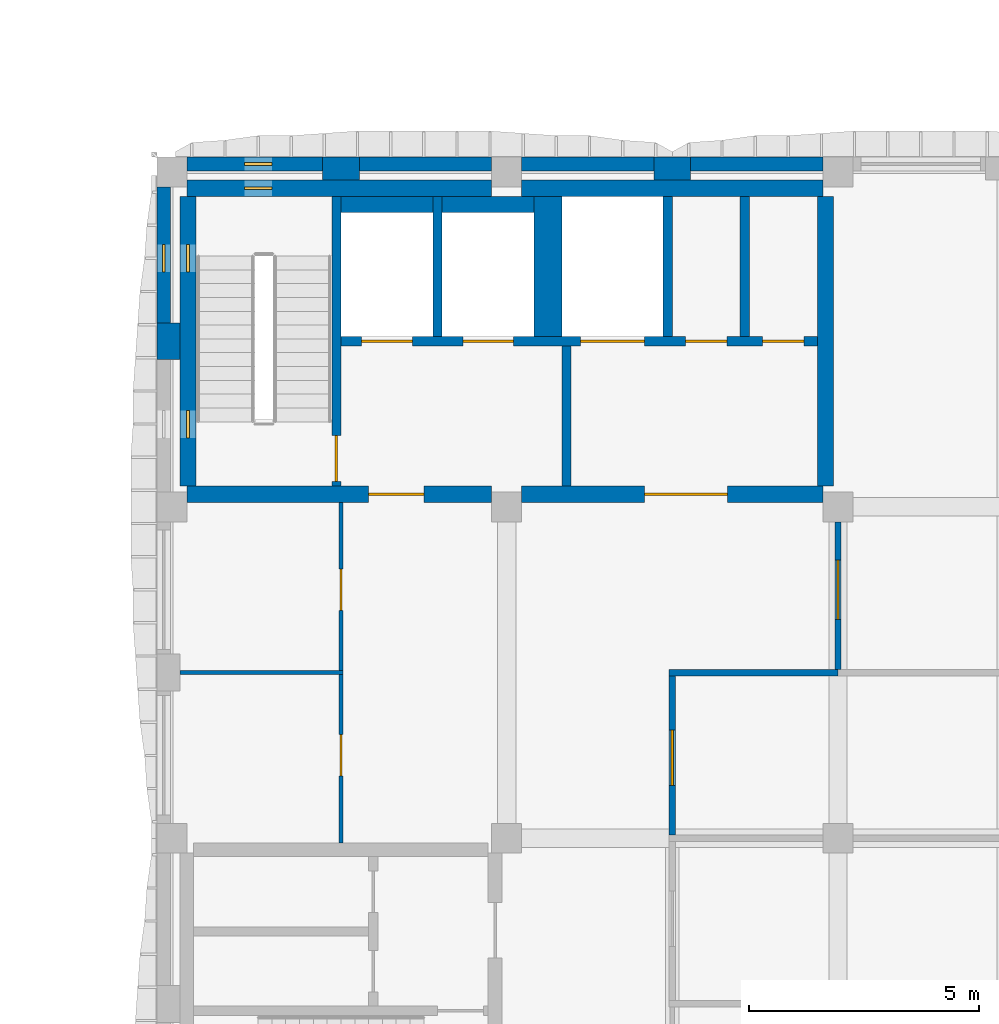
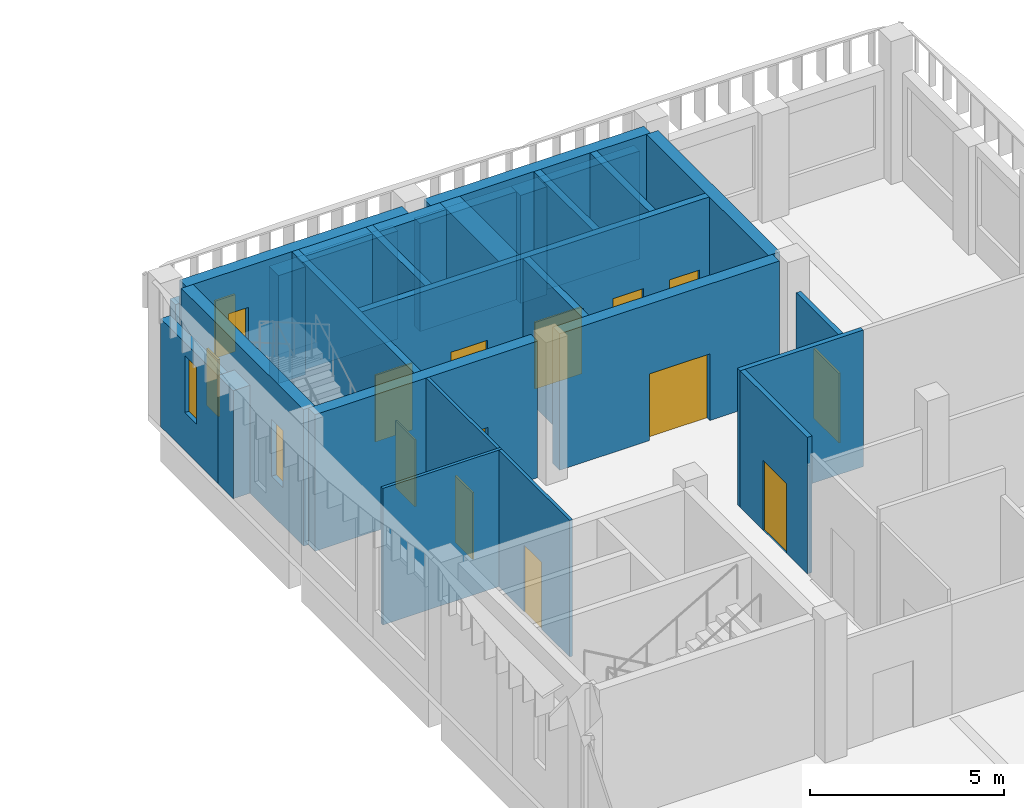
# One storey, part 5 of 24: 29 walls, 12 doors, 5 windows, 17 openings.
"""IFC4 building model written with IfcOpenShell, lengths in metres."""

from ifc_helpers import new_model, si_unit, direction, frame, frame_2d, origin, place, context, subcontext, project, spatial, rectangle, extrude, material, layer, layer_set, type_object, element, fill, save


model = new_model("IFC4")

# Units and contexts
model_context = context("Model", 3, precision=1e-05, world=origin(), true_north=direction((0.0, 1.0)))
body_context = subcontext(model_context, "Body", "Model", "MODEL_VIEW")
ifc_project = project(units=[si_unit("LENGTHUNIT", "METRE"), si_unit("AREAUNIT", "SQUARE_METRE"), si_unit("VOLUMEUNIT", "CUBIC_METRE"), si_unit("PLANEANGLEUNIT", "RADIAN"), si_unit("MASSUNIT", "GRAM", prefix="KILO")], contexts=[model_context])

# Site, building, storey
site_placement = place(None, origin())
site = spatial("IfcSite", under=ifc_project, at=site_placement, CompositionType="ELEMENT")
building_placement = place(site_placement, origin())
building = spatial("IfcBuilding", under=site, at=building_placement, Name="Ussher Court Research Institute", CompositionType="ELEMENT")
storey_placement = place(building_placement, frame((0.0, 0.0, 32.39990234375)))
storey = spatial("IfcBuildingStorey", under=building, at=storey_placement, Name="L07", CompositionType="ELEMENT", Elevation=32.39990234375)

# Wall, opening, window
ifc_material_1 = material(Name="Limestone facing on blockwork", Category="masonry")
ifc_layer_1 = layer(ifc_material_1, 0.300048828125)
ifc_layer_set_1 = layer_set([ifc_layer_1], Name="Limestone facing on blockwork")
wall_type_1 = type_object("IfcWallType", Name="External wall 300 stair enclosure", PredefinedType="SOLIDWALL", material=ifc_layer_set_1)
wall_1_placement = place(storey_placement, frame((81.949951171875, 29.60009765625, 0.0), z_axis=(0.0, 0.0, 1.0), x_axis=(0.0, 1.0, 0.0)))
wall_1 = element("IfcWall", 1, at=wall_1_placement, inside=storey, type_object=wall_type_1, Name="External wall EW5 L07", PredefinedType="SOLIDWALL", context=body_context, shape_type="SweptSolid", body=[
    extrude(rectangle(XDim=2.949951171875, YDim=0.300048828125, at=frame_2d((1.47509765625, 0.0))), origin(), (0.0, 0.0, 1.0), 3.400146484375),
])
opening_1_placement = place(wall_1_placement, frame((1.10009765625, 0.0, 1.199951171875)))
opening_1 = element("IfcOpeningElement", 2, at=opening_1_placement, cuts=wall_1, Name="Opening W25", PredefinedType="OPENING", context=body_context, shape_type="SweptSolid", body=[
    extrude(rectangle(XDim=0.60009765625, YDim=1.800048828125, at=frame_2d((0.300048828125, 0.89990234375))), frame((0.0, 0.16015625, 0.0), z_axis=(0.0, -1.0, 0.0), x_axis=(1.0, 0.0, 0.0)), (0.0, 0.0, 1.0), 0.320068359375),
])
ifc_material_2 = material(Name="Bronze anodised aluminium with double glazing", Category="aluminium")
window_type = type_object("IfcWindowType", Name="Stair light slot window 600x1800 fire-resisting glazing", PartitioningType="SINGLE_PANEL", PredefinedType="WINDOW", material=ifc_material_2)
window_1_placement = place(opening_1_placement, origin())
window_1 = element("IfcWindow", 3, at=window_1_placement, inside=storey, type_object=window_type, Name="Window W25 L07", OverallHeight=1.800048828125, OverallWidth=0.60009765625, PartitioningType="SINGLE_PANEL", PredefinedType="WINDOW", context=body_context, shape_type="SweptSolid", body=[
    extrude(rectangle(XDim=0.60009765625, YDim=1.800048828125, at=frame_2d((0.300048828125, 0.89990234375))), frame((0.0, 0.030029296875, 0.0), z_axis=(0.0, -1.0, 0.0), x_axis=(1.0, 0.0, 0.0)), (0.0, 0.0, 1.0), 0.06005859375),
])
fill(opening_1, window_1)

wall_2_placement = place(storey_placement, frame((82.449951171875, 33.050048828125, 0.0), z_axis=(0.0, 0.0, 1.0), x_axis=(1.0, 0.0, 0.0)))
wall_2 = element("IfcWall", 4, at=wall_2_placement, inside=storey, type_object=wall_type_1, Name="External wall EW5 L07", PredefinedType="SOLIDWALL", context=body_context, shape_type="SweptSolid", body=[
    extrude(rectangle(XDim=2.949951171875, YDim=0.300048828125, at=frame_2d((1.47509765625, 0.0))), origin(), (0.0, 0.0, 1.0), 3.400146484375),
])
opening_2_placement = place(wall_2_placement, frame((1.25, 0.0, 1.199951171875)))
opening_2 = element("IfcOpeningElement", 5, at=opening_2_placement, cuts=wall_2, Name="Opening W25", PredefinedType="OPENING", context=body_context, shape_type="SweptSolid", body=[
    extrude(rectangle(XDim=0.60009765625, YDim=1.800048828125, at=frame_2d((0.300048828125, 0.89990234375))), frame((0.0, 0.16015625, 0.0), z_axis=(0.0, -1.0, 0.0), x_axis=(1.0, 0.0, 0.0)), (0.0, 0.0, 1.0), 0.320068359375),
])
window_2_placement = place(opening_2_placement, origin())
window_2 = element("IfcWindow", 6, at=window_2_placement, inside=storey, type_object=window_type, Name="Window W25 L07", OverallHeight=1.800048828125, OverallWidth=0.60009765625, PartitioningType="SINGLE_PANEL", PredefinedType="WINDOW", context=body_context, shape_type="SweptSolid", body=[
    extrude(rectangle(XDim=0.60009765625, YDim=1.800048828125, at=frame_2d((0.300048828125, 0.89990234375))), frame((0.0, 0.030029296875, 0.0), z_axis=(0.0, -1.0, 0.0), x_axis=(1.0, 0.0, 0.0)), (0.0, 0.0, 1.0), 0.06005859375),
])
fill(opening_2, window_2)

# Walls
for number, where, z_axis, x_axis, name in (
    (7, (86.199951171875, 33.050048828125, 0.0), (0.0, 0.0, 1.0), (1.0, 0.0, 0.0), "External wall EW5 L07"),
    (8, (89.72509765625, 33.050048828125, 0.0), (0.0, 0.0, 1.0), (1.0, 0.0, 0.0), "External wall EW5 L07"),
    (9, (93.39990234375, 33.050048828125, 0.0), (0.0, 0.0, 1.0), (1.0, 0.0, 0.0), "External wall EW5 L07"),
):
    element("IfcWall", number, at=place(storey_placement, frame(where, z_axis=z_axis, x_axis=x_axis)), inside=storey, type_object=wall_type_1, Name=name, PredefinedType="SOLIDWALL", context=body_context, shape_type="SweptSolid", body=[
        extrude(rectangle(XDim=2.875, YDim=0.300048828125, at=frame_2d((1.4375, 0.0))), origin(), (0.0, 0.0, 1.0), 3.400146484375),
    ])
ifc_material_3 = material(Name="Plastered blockwork", Category="masonry")
ifc_layer_2 = layer(ifc_material_3, 0.139892578125)
ifc_layer_set_2 = layer_set([ifc_layer_2], Name="Plastered blockwork")
wall_type_2 = type_object("IfcWallType", Name="Laboratory blockwork partition 140", PredefinedType="PARTITIONING", material=ifc_layer_set_2)
wall_3_placement = place(storey_placement, frame((92.929931640625, 22.0, 0.0), z_axis=(0.0, 0.0, 1.0), x_axis=(1.0, 0.0, 0.0)))
element("IfcWall", 10, at=wall_3_placement, inside=storey, type_object=wall_type_2, Name="Partition", PredefinedType="PARTITIONING", context=body_context, shape_type="SweptSolid", body=[
    extrude(rectangle(XDim=3.670166015625, YDim=0.139892578125, at=frame_2d((1.8349609375, 0.0))), origin(), (0.0, 0.0, 1.0), 4.300048828125),
])

# Wall, opening, door
wall_4_placement = place(storey_placement, frame((93.0, 21.929931640625, 0.0), z_axis=(0.0, 0.0, 1.0), x_axis=(0.0, -1.0, 0.0)))
wall_4 = element("IfcWall", 11, at=wall_4_placement, inside=storey, type_object=wall_type_2, Name="Partition", PredefinedType="PARTITIONING", context=body_context, shape_type="SweptSolid", body=[
    extrude(rectangle(XDim=3.4599609375, YDim=0.139892578125, at=frame_2d((1.72998046875, 0.0))), origin(), (0.0, 0.0, 1.0), 4.300048828125),
])
opening_3_placement = place(wall_4_placement, frame((1.179931640625, 0.0, 0.0)))
opening_3 = element("IfcOpeningElement", 12, at=opening_3_placement, cuts=wall_4, Name="Opening D07012", PredefinedType="OPENING", context=body_context, shape_type="SweptSolid", body=[
    extrude(rectangle(XDim=1.199951171875, YDim=2.199951171875, at=frame_2d((0.60009765625, 1.10009765625))), frame((0.0, 0.080078125, 0.0), z_axis=(0.0, -1.0, 0.0), x_axis=(1.0, 0.0, 0.0)), (0.0, 0.0, 1.0), 0.159912109375),
])
ifc_material_4 = material(Name="Veneered timber door", Category="wood")
door_type_1 = type_object("IfcDoorType", Name="Containment laboratory door 1200x2200", OperationType="NOTDEFINED", PredefinedType="DOOR", material=ifc_material_4)
door_1_placement = place(opening_3_placement, origin())
door_1 = element("IfcDoor", 13, at=door_1_placement, inside=storey, type_object=door_type_1, Name="Door D07012", OperationType="SINGLE_SWING_RIGHT", OverallHeight=2.199951171875, OverallWidth=1.199951171875, PredefinedType="DOOR", context=body_context, shape_type="SweptSolid", body=[
    extrude(rectangle(XDim=1.199951171875, YDim=2.199951171875, at=frame_2d((0.60009765625, 1.10009765625))), frame((0.0, 0.02490234375, 0.0), z_axis=(0.0, -1.0, 0.0), x_axis=(1.0, 0.0, 0.0)), (0.0, 0.0, 1.0), 0.050048828125),
])
fill(opening_3, door_1)

wall_5_placement = place(storey_placement, frame((96.60009765625, 25.27490234375, 0.0), z_axis=(0.0, 0.0, 1.0), x_axis=(0.0, -1.0, 0.0)))
wall_5 = element("IfcWall", 14, at=wall_5_placement, inside=storey, type_object=wall_type_2, Name="Partition", PredefinedType="PARTITIONING", context=body_context, shape_type="SweptSolid", body=[
    extrude(rectangle(XDim=3.204833984375, YDim=0.139892578125, at=frame_2d((1.6025390625, 0.0))), origin(), (0.0, 0.0, 1.0), 3.47021484375),
])
opening_4_placement = place(wall_5_placement, frame((0.824951171875, 0.0, 0.0)))
opening_4 = element("IfcOpeningElement", 15, at=opening_4_placement, cuts=wall_5, Name="Opening D07016", PredefinedType="OPENING", context=body_context, shape_type="SweptSolid", body=[
    extrude(rectangle(XDim=1.300048828125, YDim=2.199951171875, at=frame_2d((0.64990234375, 1.10009765625))), frame((0.0, 0.080078125, 0.0), z_axis=(0.0, -1.0, 0.0), x_axis=(1.0, 0.0, 0.0)), (0.0, 0.0, 1.0), 0.159912109375),
])
ifc_material_5 = material(Name="Veneered timber door", Category="wood")
door_type_2 = type_object("IfcDoorType", Name="Instrument room door 1300x2200", OperationType="NOTDEFINED", PredefinedType="DOOR", material=ifc_material_5)
door_2_placement = place(opening_4_placement, origin())
door_2 = element("IfcDoor", 16, at=door_2_placement, inside=storey, type_object=door_type_2, Name="Door D07016", OperationType="SINGLE_SWING_LEFT", OverallHeight=2.199951171875, OverallWidth=1.300048828125, PredefinedType="DOOR", context=body_context, shape_type="SweptSolid", body=[
    extrude(rectangle(XDim=1.300048828125, YDim=2.199951171875, at=frame_2d((0.64990234375, 1.10009765625))), frame((0.0, 0.02490234375, 0.0), z_axis=(0.0, -1.0, 0.0), x_axis=(1.0, 0.0, 0.0)), (0.0, 0.0, 1.0), 0.050048828125),
])
fill(opening_4, door_2)

# Walls
ifc_material_6 = material(Name="Blockwork with cream render", Category="masonry")
ifc_layer_3 = layer(ifc_material_6, 0.5)
ifc_layer_set_3 = layer_set([ifc_layer_3], Name="Blockwork with cream render")
wall_type_3 = type_object("IfcWallType", Name="Pier 800x500 cream render", PredefinedType="SOLIDWALL", material=ifc_layer_set_3)
for number, where, z_axis, x_axis, name in (
    (17, (82.050048828125, 28.800048828125, 0.0), (0.0, 0.0, 1.0), (0.0, 1.0, 0.0), "Pier PR1 L07"),
    (18, (85.39990234375, 32.949951171875, 0.0), (0.0, 0.0, 1.0), (1.0, 0.0, 0.0), "Pier PR1 L07"),
):
    element("IfcWall", number, at=place(storey_placement, frame(where, z_axis=z_axis, x_axis=x_axis)), inside=storey, type_object=wall_type_3, Name=name, PredefinedType="SOLIDWALL", context=body_context, shape_type="SweptSolid", body=[
        extrude(rectangle(XDim=0.800048828125, YDim=0.5, at=frame_2d((0.39990234375, 0.0))), origin(), (0.0, 0.0, 1.0), 3.400146484375),
    ])
wall_6_placement = place(storey_placement, frame((92.60009765625, 32.949951171875, 0.0), z_axis=(0.0, 0.0, 1.0), x_axis=(1.0, 0.0, 0.0)))
element("IfcWall", 19, at=wall_6_placement, inside=storey, type_object=wall_type_3, Name="Pier PR1 L07", PredefinedType="SOLIDWALL", context=body_context, shape_type="SweptSolid", body=[
    extrude(rectangle(XDim=0.7998046875, YDim=0.5, at=frame_2d((0.39990234375, 0.0))), origin(), (0.0, 0.0, 1.0), 3.400146484375),
])

# Wall, opening, door
ifc_material_7 = material(Name="Concrete C35/45", Category="concrete")
ifc_layer_4 = layer(ifc_material_7, 0.199951171875)
ifc_layer_set_4 = layer_set([ifc_layer_4], Name="Concrete C35/45")
wall_type_4 = type_object("IfcWallType", Name="RC core wall 200", PredefinedType="SHEAR", material=ifc_layer_set_4)
wall_7_placement = place(storey_placement, frame((85.699951171875, 26.050048828125, 0.0), z_axis=(0.0, 0.0, 1.0), x_axis=(0.0, 1.0, 0.0)))
wall_7 = element("IfcWall", 20, at=wall_7_placement, inside=storey, type_object=wall_type_4, Name="Core wall T1", PredefinedType="SHEAR", context=body_context, shape_type="SweptSolid", body=[
    extrude(rectangle(XDim=6.300048828125, YDim=0.199951171875, at=frame_2d((3.14990234375, 0.0))), origin(), (0.0, 0.0, 1.0), 4.300048828125),
])
opening_5_placement = place(wall_7_placement, frame((0.10009765625, 0.0, 0.0)))
opening_5 = element("IfcOpeningElement", 21, at=opening_5_placement, cuts=wall_7, Name="Opening D07001", PredefinedType="OPENING", context=body_context, shape_type="SweptSolid", body=[
    extrude(rectangle(XDim=1.0, YDim=2.10009765625, at=frame_2d((0.5, 1.050048828125))), frame((0.0, 0.10986328125, 0.0), z_axis=(0.0, -1.0, 0.0), x_axis=(1.0, 0.0, 0.0)), (0.0, 0.0, 1.0), 0.219970703125),
])
ifc_material_8 = material(Name="Painted steel faced fire door", Category="steel")
door_type_3 = type_object("IfcDoorType", Name="Fire door 1000x2100 FD60", OperationType="NOTDEFINED", PredefinedType="DOOR", material=ifc_material_8)
door_3_placement = place(opening_5_placement, origin())
door_3 = element("IfcDoor", 22, at=door_3_placement, inside=storey, type_object=door_type_3, Name="Door D07001", OperationType="SINGLE_SWING_LEFT", OverallHeight=2.10009765625, OverallWidth=1.0, PredefinedType="DOOR", context=body_context, shape_type="SweptSolid", body=[
    extrude(rectangle(XDim=1.0, YDim=2.10009765625, at=frame_2d((0.5, 1.050048828125))), frame((0.0, 0.02490234375, 0.0), z_axis=(0.0, -1.0, 0.0), x_axis=(1.0, 0.0, 0.0)), (0.0, 0.0, 1.0), 0.050048828125),
])
fill(opening_5, door_3)

# Wall
wall_8_placement = place(storey_placement, frame((90.699951171875, 26.050048828125, 0.0), z_axis=(0.0, 0.0, 1.0), x_axis=(0.0, 1.0, 0.0)))
element("IfcWall", 23, at=wall_8_placement, inside=storey, type_object=wall_type_4, Name="Core wall T1", PredefinedType="SHEAR", context=body_context, shape_type="SweptSolid", body=[
    extrude(rectangle(XDim=3.050048828125, YDim=0.199951171875, at=frame_2d((1.52490234375, 0.0))), origin(), (0.0, 0.0, 1.0), 4.300048828125),
])

# Wall, openings, doors
wall_9_placement = place(storey_placement, frame((96.14990234375, 29.199951171875, 0.0), z_axis=(0.0, 0.0, 1.0), x_axis=(-1.0, 0.0, 0.0)))
wall_9 = element("IfcWall", 24, at=wall_9_placement, inside=storey, type_object=wall_type_4, Name="Core wall T1", PredefinedType="SHEAR", context=body_context, shape_type="SweptSolid", body=[
    extrude(rectangle(XDim=10.349853515625, YDim=0.199951171875, at=frame_2d((5.1748046875, 0.0))), origin(), (0.0, 0.0, 1.0), 4.300048828125),
])
opening_6_placement = place(wall_9_placement, frame((8.800048828125, 0.0, 0.0)))
opening_6 = element("IfcOpeningElement", 25, at=opening_6_placement, cuts=wall_9, Name="Opening LD71", PredefinedType="OPENING", context=body_context, shape_type="SweptSolid", body=[
    extrude(rectangle(XDim=1.10009765625, YDim=2.10009765625, at=frame_2d((0.550048828125, 1.050048828125))), frame((0.0, 0.10986328125, 0.0), z_axis=(0.0, -1.0, 0.0), x_axis=(1.0, 0.0, 0.0)), (0.0, 0.0, 1.0), 0.219970703125),
])
opening_7_placement = place(wall_9_placement, frame((6.60009765625, 0.0, 0.0)))
opening_7 = element("IfcOpeningElement", 26, at=opening_7_placement, cuts=wall_9, Name="Opening LD72", PredefinedType="OPENING", context=body_context, shape_type="SweptSolid", body=[
    extrude(rectangle(XDim=1.10009765625, YDim=2.10009765625, at=frame_2d((0.550048828125, 1.050048828125))), frame((0.0, 0.10986328125, 0.0), z_axis=(0.0, -1.0, 0.0), x_axis=(1.0, 0.0, 0.0)), (0.0, 0.0, 1.0), 0.219970703125),
])
opening_8_placement = place(wall_9_placement, frame((3.75, 0.0, 0.0)))
opening_8 = element("IfcOpeningElement", 27, at=opening_8_placement, cuts=wall_9, Name="Opening LD73", PredefinedType="OPENING", context=body_context, shape_type="SweptSolid", body=[
    extrude(rectangle(XDim=1.39990234375, YDim=2.10009765625, at=frame_2d((0.699951171875, 1.050048828125))), frame((0.0, 0.10986328125, 0.0), z_axis=(0.0, -1.0, 0.0), x_axis=(1.0, 0.0, 0.0)), (0.0, 0.0, 1.0), 0.219970703125),
])
opening_9_placement = place(wall_9_placement, frame((1.96240234375, 0.0, 0.0)))
opening_9 = element("IfcOpeningElement", 28, at=opening_9_placement, cuts=wall_9, Name="Opening D07014", PredefinedType="OPENING", context=body_context, shape_type="SweptSolid", body=[
    extrude(rectangle(XDim=0.89990234375, YDim=2.10009765625, at=frame_2d((0.449951171875, 1.050048828125))), frame((0.0, 0.10986328125, 0.0), z_axis=(0.0, -1.0, 0.0), x_axis=(1.0, 0.0, 0.0)), (0.0, 0.0, 1.0), 0.219970703125),
])
opening_10_placement = place(wall_9_placement, frame((0.28759765625, 0.0, 0.0)))
opening_10 = element("IfcOpeningElement", 29, at=opening_10_placement, cuts=wall_9, Name="Opening D07015", PredefinedType="OPENING", context=body_context, shape_type="SweptSolid", body=[
    extrude(rectangle(XDim=0.89990234375, YDim=2.10009765625, at=frame_2d((0.449951171875, 1.050048828125))), frame((0.0, 0.10986328125, 0.0), z_axis=(0.0, -1.0, 0.0), x_axis=(1.0, 0.0, 0.0)), (0.0, 0.0, 1.0), 0.219970703125),
])
ifc_material_9 = material(Name="Painted steel faced fire door", Category="steel")
door_type_4 = type_object("IfcDoorType", Name="Fire door 900x2100 FD60", OperationType="NOTDEFINED", PredefinedType="DOOR", material=ifc_material_9)
door_4_placement = place(opening_9_placement, origin())
door_4 = element("IfcDoor", 30, at=door_4_placement, inside=storey, type_object=door_type_4, Name="Door D07014", OperationType="SINGLE_SWING_LEFT", OverallHeight=2.10009765625, OverallWidth=0.89990234375, PredefinedType="DOOR", context=body_context, shape_type="SweptSolid", body=[
    extrude(rectangle(XDim=0.89990234375, YDim=2.10009765625, at=frame_2d((0.449951171875, 1.050048828125))), frame((0.0, 0.02490234375, 0.0), z_axis=(0.0, -1.0, 0.0), x_axis=(1.0, 0.0, 0.0)), (0.0, 0.0, 1.0), 0.050048828125),
])
fill(opening_9, door_4)
door_5_placement = place(opening_10_placement, origin())
door_5 = element("IfcDoor", 31, at=door_5_placement, inside=storey, type_object=door_type_4, Name="Door D07015", OperationType="SINGLE_SWING_LEFT", OverallHeight=2.10009765625, OverallWidth=0.89990234375, PredefinedType="DOOR", context=body_context, shape_type="SweptSolid", body=[
    extrude(rectangle(XDim=0.89990234375, YDim=2.10009765625, at=frame_2d((0.449951171875, 1.050048828125))), frame((0.0, 0.02490234375, 0.0), z_axis=(0.0, -1.0, 0.0), x_axis=(1.0, 0.0, 0.0)), (0.0, 0.0, 1.0), 0.050048828125),
])
fill(opening_10, door_5)
ifc_material_10 = material(Name="Stainless steel lift door", Category="steel")
door_type_5 = type_object("IfcDoorType", Name="Lift landing door 1100x2100 sliding", OperationType="DOUBLE_DOOR_SLIDING", PredefinedType="DOOR", material=ifc_material_10)
door_6_placement = place(opening_6_placement, origin())
door_6 = element("IfcDoor", 32, at=door_6_placement, inside=storey, type_object=door_type_5, Name="Landing door T1-1 L07", OperationType="DOUBLE_DOOR_SLIDING", OverallHeight=2.10009765625, OverallWidth=1.10009765625, PredefinedType="DOOR", context=body_context, shape_type="SweptSolid", body=[
    extrude(rectangle(XDim=1.10009765625, YDim=2.10009765625, at=frame_2d((0.550048828125, 1.050048828125))), frame((0.0, 0.02490234375, 0.0), z_axis=(0.0, -1.0, 0.0), x_axis=(1.0, 0.0, 0.0)), (0.0, 0.0, 1.0), 0.050048828125),
])
fill(opening_6, door_6)
door_7_placement = place(opening_7_placement, origin())
door_7 = element("IfcDoor", 33, at=door_7_placement, inside=storey, type_object=door_type_5, Name="Landing door T1-2 L07", OperationType="DOUBLE_DOOR_SLIDING", OverallHeight=2.10009765625, OverallWidth=1.10009765625, PredefinedType="DOOR", context=body_context, shape_type="SweptSolid", body=[
    extrude(rectangle(XDim=1.10009765625, YDim=2.10009765625, at=frame_2d((0.550048828125, 1.050048828125))), frame((0.0, 0.02490234375, 0.0), z_axis=(0.0, -1.0, 0.0), x_axis=(1.0, 0.0, 0.0)), (0.0, 0.0, 1.0), 0.050048828125),
])
fill(opening_7, door_7)
ifc_material_11 = material(Name="Stainless steel lift door", Category="steel")
door_type_6 = type_object("IfcDoorType", Name="Lift landing door 1400x2100 sliding", OperationType="DOUBLE_DOOR_SLIDING", PredefinedType="DOOR", material=ifc_material_11)
door_8_placement = place(opening_8_placement, origin())
door_8 = element("IfcDoor", 34, at=door_8_placement, inside=storey, type_object=door_type_6, Name="Landing door T1-3 L07", OperationType="DOUBLE_DOOR_SLIDING", OverallHeight=2.10009765625, OverallWidth=1.39990234375, PredefinedType="DOOR", context=body_context, shape_type="SweptSolid", body=[
    extrude(rectangle(XDim=1.39990234375, YDim=2.10009765625, at=frame_2d((0.699951171875, 1.050048828125))), frame((0.0, 0.02490234375, 0.0), z_axis=(0.0, -1.0, 0.0), x_axis=(1.0, 0.0, 0.0)), (0.0, 0.0, 1.0), 0.050048828125),
])
fill(opening_8, door_8)

# Walls
for number, where, z_axis, x_axis, name in (
    (35, (87.89990234375, 29.300048828125, 0.0), (0.0, 0.0, 1.0), (0.0, 1.0, 0.0), "Core wall T1"),
    (36, (92.89990234375, 29.300048828125, 0.0), (0.0, 0.0, 1.0), (0.0, 1.0, 0.0), "Core wall T1"),
    (37, (94.574951171875, 29.300048828125, 0.0), (0.0, 0.0, 1.0), (0.0, 1.0, 0.0), "Core wall T1"),
):
    element("IfcWall", number, at=place(storey_placement, frame(where, z_axis=z_axis, x_axis=x_axis)), inside=storey, type_object=wall_type_4, Name=name, PredefinedType="SHEAR", context=body_context, shape_type="SweptSolid", body=[
        extrude(rectangle(XDim=3.050048828125, YDim=0.199951171875, at=frame_2d((1.52490234375, 0.0))), origin(), (0.0, 0.0, 1.0), 4.300048828125),
    ])

# Wall, opening, door
ifc_material_12 = material(Name="Concrete C35/45", Category="concrete")
ifc_layer_5 = layer(ifc_material_12, 0.35009765625)
ifc_layer_set_5 = layer_set([ifc_layer_5], Name="Concrete C35/45")
wall_type_5 = type_object("IfcWallType", Name="RC core wall 350", PredefinedType="SHEAR", material=ifc_layer_set_5)
wall_10_placement = place(storey_placement, frame((82.449951171875, 25.875, 0.0), z_axis=(0.0, 0.0, 1.0), x_axis=(1.0, 0.0, 0.0)))
wall_10 = element("IfcWall", 38, at=wall_10_placement, inside=storey, type_object=wall_type_5, Name="Core wall T1", PredefinedType="SHEAR", context=body_context, shape_type="SweptSolid", body=[
    extrude(rectangle(XDim=6.625, YDim=0.35009765625, at=frame_2d((3.3125, 0.0))), origin(), (0.0, 0.0, 1.0), 4.300048828125),
])
opening_11_placement = place(wall_10_placement, frame((3.949951171875, 0.0, 0.0)))
opening_11 = element("IfcOpeningElement", 39, at=opening_11_placement, cuts=wall_10, Name="Opening D07006", PredefinedType="OPENING", context=body_context, shape_type="SweptSolid", body=[
    extrude(rectangle(XDim=1.199951171875, YDim=2.10009765625, at=frame_2d((0.60009765625, 1.050048828125))), frame((0.0, 0.18505859375, 0.0), z_axis=(0.0, -1.0, 0.0), x_axis=(1.0, 0.0, 0.0)), (0.0, 0.0, 1.0), 0.3701171875),
])
ifc_material_13 = material(Name="Painted steel faced fire door", Category="steel")
door_type_7 = type_object("IfcDoorType", Name="Fire door 1200x2100 FD60", OperationType="NOTDEFINED", PredefinedType="DOOR", material=ifc_material_13)
door_9_placement = place(opening_11_placement, origin())
door_9 = element("IfcDoor", 40, at=door_9_placement, inside=storey, type_object=door_type_7, Name="Door D07006", OperationType="SINGLE_SWING_RIGHT", OverallHeight=2.10009765625, OverallWidth=1.199951171875, PredefinedType="DOOR", context=body_context, shape_type="SweptSolid", body=[
    extrude(rectangle(XDim=1.199951171875, YDim=2.10009765625, at=frame_2d((0.60009765625, 1.050048828125))), frame((0.0, 0.02490234375, 0.0), z_axis=(0.0, -1.0, 0.0), x_axis=(1.0, 0.0, 0.0)), (0.0, 0.0, 1.0), 0.050048828125),
])
fill(opening_11, door_9)

wall_11_placement = place(storey_placement, frame((89.72509765625, 25.875, 0.0), z_axis=(0.0, 0.0, 1.0), x_axis=(1.0, 0.0, 0.0)))
wall_11 = element("IfcWall", 41, at=wall_11_placement, inside=storey, type_object=wall_type_5, Name="Core wall T1", PredefinedType="SHEAR", context=body_context, shape_type="SweptSolid", body=[
    extrude(rectangle(XDim=6.5498046875, YDim=0.35009765625, at=frame_2d((3.27490234375, 0.0))), origin(), (0.0, 0.0, 1.0), 4.300048828125),
])
opening_12_placement = place(wall_11_placement, frame((2.675048828125, 0.0, 0.0)))
opening_12 = element("IfcOpeningElement", 42, at=opening_12_placement, cuts=wall_11, Name="Opening D07013", PredefinedType="OPENING", context=body_context, shape_type="SweptSolid", body=[
    extrude(rectangle(XDim=1.800048828125, YDim=2.10009765625, at=frame_2d((0.89990234375, 1.050048828125))), frame((0.0, 0.18505859375, 0.0), z_axis=(0.0, -1.0, 0.0), x_axis=(1.0, 0.0, 0.0)), (0.0, 0.0, 1.0), 0.3701171875),
])
ifc_material_14 = material(Name="Painted steel faced fire door", Category="steel")
door_type_8 = type_object("IfcDoorType", Name="Fire door 1800x2100 FD60 double leaf", OperationType="DOUBLE_DOOR_SINGLE_SWING", PredefinedType="DOOR", material=ifc_material_14)
door_10_placement = place(opening_12_placement, origin())
door_10 = element("IfcDoor", 43, at=door_10_placement, inside=storey, type_object=door_type_8, Name="Door D07013", OperationType="SINGLE_SWING_LEFT", OverallHeight=2.10009765625, OverallWidth=1.800048828125, PredefinedType="DOOR", context=body_context, shape_type="SweptSolid", body=[
    extrude(rectangle(XDim=1.800048828125, YDim=2.10009765625, at=frame_2d((0.89990234375, 1.050048828125))), frame((0.0, 0.02490234375, 0.0), z_axis=(0.0, -1.0, 0.0), x_axis=(1.0, 0.0, 0.0)), (0.0, 0.0, 1.0), 0.050048828125),
])
fill(opening_12, door_10)

# Wall, opening, window
wall_12_placement = place(storey_placement, frame((82.449951171875, 32.52490234375, 0.0), z_axis=(0.0, 0.0, 1.0), x_axis=(1.0, 0.0, 0.0)))
wall_12 = element("IfcWall", 44, at=wall_12_placement, inside=storey, type_object=wall_type_5, Name="Core wall T1", PredefinedType="SHEAR", context=body_context, shape_type="SweptSolid", body=[
    extrude(rectangle(XDim=6.625, YDim=0.35009765625, at=frame_2d((3.3125, 0.0))), origin(), (0.0, 0.0, 1.0), 4.300048828125),
])
opening_13_placement = place(wall_12_placement, frame((1.25, 0.0, 1.199951171875)))
opening_13 = element("IfcOpeningElement", 45, at=opening_13_placement, cuts=wall_12, Name="Opening W25", PredefinedType="OPENING", context=body_context, shape_type="SweptSolid", body=[
    extrude(rectangle(XDim=0.60009765625, YDim=1.800048828125, at=frame_2d((0.300048828125, 0.89990234375))), frame((0.0, 0.18505859375, 0.0), z_axis=(0.0, -1.0, 0.0), x_axis=(1.0, 0.0, 0.0)), (0.0, 0.0, 1.0), 0.3701171875),
])
window_3_placement = place(opening_13_placement, origin())
window_3 = element("IfcWindow", 46, at=window_3_placement, inside=storey, type_object=window_type, Name="Window stair light T1 L07", OverallHeight=1.800048828125, OverallWidth=0.60009765625, PartitioningType="SINGLE_PANEL", PredefinedType="WINDOW", context=body_context, shape_type="SweptSolid", body=[
    extrude(rectangle(XDim=0.60009765625, YDim=1.800048828125, at=frame_2d((0.300048828125, 0.89990234375))), frame((0.0, 0.030029296875, 0.0), z_axis=(0.0, -1.0, 0.0), x_axis=(1.0, 0.0, 0.0)), (0.0, 0.0, 1.0), 0.06005859375),
])
fill(opening_13, window_3)

# Wall
wall_13_placement = place(storey_placement, frame((89.72509765625, 32.52490234375, 0.0), z_axis=(0.0, 0.0, 1.0), x_axis=(1.0, 0.0, 0.0)))
element("IfcWall", 47, at=wall_13_placement, inside=storey, type_object=wall_type_5, Name="Core wall T1", PredefinedType="SHEAR", context=body_context, shape_type="SweptSolid", body=[
    extrude(rectangle(XDim=6.5498046875, YDim=0.35009765625, at=frame_2d((3.27490234375, 0.0))), origin(), (0.0, 0.0, 1.0), 4.300048828125),
])

# Wall, openings, windows
wall_14_placement = place(storey_placement, frame((82.47509765625, 26.050048828125, 0.0), z_axis=(0.0, 0.0, 1.0), x_axis=(0.0, 1.0, 0.0)))
wall_14 = element("IfcWall", 48, at=wall_14_placement, inside=storey, type_object=wall_type_5, Name="Core wall T1", PredefinedType="SHEAR", context=body_context, shape_type="SweptSolid", body=[
    extrude(rectangle(XDim=6.300048828125, YDim=0.35009765625, at=frame_2d((3.14990234375, 0.0))), origin(), (0.0, 0.0, 1.0), 4.300048828125),
])
opening_14_placement = place(wall_14_placement, frame((1.050048828125, 0.0, 1.199951171875)))
opening_14 = element("IfcOpeningElement", 49, at=opening_14_placement, cuts=wall_14, Name="Opening W25", PredefinedType="OPENING", context=body_context, shape_type="SweptSolid", body=[
    extrude(rectangle(XDim=0.60009765625, YDim=1.800048828125, at=frame_2d((0.300048828125, 0.89990234375))), frame((0.0, 0.18505859375, 0.0), z_axis=(0.0, -1.0, 0.0), x_axis=(1.0, 0.0, 0.0)), (0.0, 0.0, 1.0), 0.3701171875),
])
opening_15_placement = place(wall_14_placement, frame((4.64990234375, 0.0, 1.199951171875)))
opening_15 = element("IfcOpeningElement", 50, at=opening_15_placement, cuts=wall_14, Name="Opening W25", PredefinedType="OPENING", context=body_context, shape_type="SweptSolid", body=[
    extrude(rectangle(XDim=0.60009765625, YDim=1.800048828125, at=frame_2d((0.300048828125, 0.89990234375))), frame((0.0, 0.18505859375, 0.0), z_axis=(0.0, -1.0, 0.0), x_axis=(1.0, 0.0, 0.0)), (0.0, 0.0, 1.0), 0.3701171875),
])
window_4_placement = place(opening_14_placement, origin())
window_4 = element("IfcWindow", 51, at=window_4_placement, inside=storey, type_object=window_type, Name="Window stair light T1 L07", OverallHeight=1.800048828125, OverallWidth=0.60009765625, PartitioningType="SINGLE_PANEL", PredefinedType="WINDOW", context=body_context, shape_type="SweptSolid", body=[
    extrude(rectangle(XDim=0.60009765625, YDim=1.800048828125, at=frame_2d((0.300048828125, 0.89990234375))), frame((0.0, 0.030029296875, 0.0), z_axis=(0.0, -1.0, 0.0), x_axis=(1.0, 0.0, 0.0)), (0.0, 0.0, 1.0), 0.06005859375),
])
fill(opening_14, window_4)
window_5_placement = place(opening_15_placement, origin())
window_5 = element("IfcWindow", 52, at=window_5_placement, inside=storey, type_object=window_type, Name="Window stair light T1 L07", OverallHeight=1.800048828125, OverallWidth=0.60009765625, PartitioningType="SINGLE_PANEL", PredefinedType="WINDOW", context=body_context, shape_type="SweptSolid", body=[
    extrude(rectangle(XDim=0.60009765625, YDim=1.800048828125, at=frame_2d((0.300048828125, 0.89990234375))), frame((0.0, 0.030029296875, 0.0), z_axis=(0.0, -1.0, 0.0), x_axis=(1.0, 0.0, 0.0)), (0.0, 0.0, 1.0), 0.06005859375),
])
fill(opening_15, window_5)

# Walls
wall_15_placement = place(storey_placement, frame((96.324951171875, 26.050048828125, 0.0), z_axis=(0.0, 0.0, 1.0), x_axis=(0.0, 1.0, 0.0)))
element("IfcWall", 53, at=wall_15_placement, inside=storey, type_object=wall_type_5, Name="Core wall T1", PredefinedType="SHEAR", context=body_context, shape_type="SweptSolid", body=[
    extrude(rectangle(XDim=6.300048828125, YDim=0.35009765625, at=frame_2d((3.14990234375, 0.0))), origin(), (0.0, 0.0, 1.0), 4.300048828125),
])
for number, where, z_axis, x_axis, name in (
    (54, (85.800048828125, 32.175048828125, 0.0), (0.0, 0.0, 1.0), (1.0, 0.0, 0.0), "Core wall T1"),
    (55, (88.0, 32.175048828125, 0.0), (0.0, 0.0, 1.0), (1.0, 0.0, 0.0), "Core wall T1"),
):
    element("IfcWall", number, at=place(storey_placement, frame(where, z_axis=z_axis, x_axis=x_axis)), inside=storey, type_object=wall_type_5, Name=name, PredefinedType="SHEAR", context=body_context, shape_type="SweptSolid", body=[
        extrude(rectangle(XDim=2.0, YDim=0.35009765625, at=frame_2d((1.0, 0.0))), origin(), (0.0, 0.0, 1.0), 4.300048828125),
    ])
ifc_material_15 = material(Name="Concrete C35/45", Category="concrete")
ifc_layer_6 = layer(ifc_material_15, 0.60009765625)
ifc_layer_set_6 = layer_set([ifc_layer_6], Name="Concrete C35/45")
wall_type_6 = type_object("IfcWallType", Name="RC core wall 600", PredefinedType="SHEAR", material=ifc_layer_set_6)
wall_16_placement = place(storey_placement, frame((90.300048828125, 29.300048828125, 0.0), z_axis=(0.0, 0.0, 1.0), x_axis=(0.0, 1.0, 0.0)))
element("IfcWall", 56, at=wall_16_placement, inside=storey, type_object=wall_type_6, Name="Core wall T1", PredefinedType="SHEAR", context=body_context, shape_type="SweptSolid", body=[
    extrude(rectangle(XDim=3.050048828125, YDim=0.60009765625, at=frame_2d((1.52490234375, 0.0))), origin(), (0.0, 0.0, 1.0), 4.300048828125),
])
ifc_material_16 = material(Name="Moisture-resistant board on steel studs", Category="steel")
ifc_layer_7 = layer(ifc_material_16, 0.090087890625)
ifc_layer_set_7 = layer_set([ifc_layer_7], Name="Moisture-resistant board on steel studs")
wall_type_7 = type_object("IfcWallType", Name="WC lining partition 90", PredefinedType="PARTITIONING", material=ifc_layer_set_7)
wall_17_placement = place(storey_placement, frame((82.300048828125, 22.0, 0.0), z_axis=(0.0, 0.0, 1.0), x_axis=(1.0, 0.0, 0.0)))
element("IfcWall", 57, at=wall_17_placement, inside=storey, type_object=wall_type_7, Name="Partition", PredefinedType="PARTITIONING", context=body_context, shape_type="SweptSolid", body=[
    extrude(rectangle(XDim=3.544921875, YDim=0.090087890625, at=frame_2d((1.7724609375, 0.0))), origin(), (0.0, 0.0, 1.0), 4.300048828125),
])

# Wall, opening, door
wall_18_placement = place(storey_placement, frame((85.800048828125, 18.300048828125, 0.0), z_axis=(0.0, 0.0, 1.0), x_axis=(0.0, 1.0, 0.0)))
wall_18 = element("IfcWall", 58, at=wall_18_placement, inside=storey, type_object=wall_type_7, Name="Partition", PredefinedType="PARTITIONING", context=body_context, shape_type="SweptSolid", body=[
    extrude(rectangle(XDim=3.655029296875, YDim=0.090087890625, at=frame_2d((1.82763671875, 0.0))), origin(), (0.0, 0.0, 1.0), 4.300048828125),
])
opening_16_placement = place(wall_18_placement, frame((1.449951171875, 0.0, 0.0)))
opening_16 = element("IfcOpeningElement", 59, at=opening_16_placement, cuts=wall_18, Name="Opening D07002", PredefinedType="OPENING", context=body_context, shape_type="SweptSolid", body=[
    extrude(rectangle(XDim=0.89990234375, YDim=2.10009765625, at=frame_2d((0.449951171875, 1.050048828125))), frame((0.0, 0.05517578125, 0.0), z_axis=(0.0, -1.0, 0.0), x_axis=(1.0, 0.0, 0.0)), (0.0, 0.0, 1.0), 0.110107421875),
])
ifc_material_17 = material(Name="Veneered timber door", Category="wood")
door_type_9 = type_object("IfcDoorType", Name="WC door 900x2100", OperationType="NOTDEFINED", PredefinedType="DOOR", material=ifc_material_17)
door_11_placement = place(opening_16_placement, origin())
door_11 = element("IfcDoor", 60, at=door_11_placement, inside=storey, type_object=door_type_9, Name="Door D07002", OperationType="SINGLE_SWING_RIGHT", OverallHeight=2.10009765625, OverallWidth=0.89990234375, PredefinedType="DOOR", context=body_context, shape_type="SweptSolid", body=[
    extrude(rectangle(XDim=0.89990234375, YDim=2.10009765625, at=frame_2d((0.449951171875, 1.050048828125))), frame((0.0, 0.02490234375, 0.0), z_axis=(0.0, -1.0, 0.0), x_axis=(1.0, 0.0, 0.0)), (0.0, 0.0, 1.0), 0.050048828125),
])
fill(opening_16, door_11)

wall_19_placement = place(storey_placement, frame((85.800048828125, 22.044921875, 0.0), z_axis=(0.0, 0.0, 1.0), x_axis=(0.0, 1.0, 0.0)))
wall_19 = element("IfcWall", 61, at=wall_19_placement, inside=storey, type_object=wall_type_7, Name="Partition", PredefinedType="PARTITIONING", context=body_context, shape_type="SweptSolid", body=[
    extrude(rectangle(XDim=3.655029296875, YDim=0.090087890625, at=frame_2d((1.82763671875, 0.0))), origin(), (0.0, 0.0, 1.0), 4.300048828125),
])
opening_17_placement = place(wall_19_placement, frame((1.304931640625, 0.0, 0.0)))
opening_17 = element("IfcOpeningElement", 62, at=opening_17_placement, cuts=wall_19, Name="Opening D07003", PredefinedType="OPENING", context=body_context, shape_type="SweptSolid", body=[
    extrude(rectangle(XDim=0.89990234375, YDim=2.10009765625, at=frame_2d((0.449951171875, 1.050048828125))), frame((0.0, 0.05517578125, 0.0), z_axis=(0.0, -1.0, 0.0), x_axis=(1.0, 0.0, 0.0)), (0.0, 0.0, 1.0), 0.110107421875),
])
door_12_placement = place(opening_17_placement, origin())
door_12 = element("IfcDoor", 63, at=door_12_placement, inside=storey, type_object=door_type_9, Name="Door D07003", OperationType="SINGLE_SWING_LEFT", OverallHeight=2.10009765625, OverallWidth=0.89990234375, PredefinedType="DOOR", context=body_context, shape_type="SweptSolid", body=[
    extrude(rectangle(XDim=0.89990234375, YDim=2.10009765625, at=frame_2d((0.449951171875, 1.050048828125))), frame((0.0, 0.02490234375, 0.0), z_axis=(0.0, -1.0, 0.0), x_axis=(1.0, 0.0, 0.0)), (0.0, 0.0, 1.0), 0.050048828125),
])
fill(opening_17, door_12)

save(model, "model.ifc")
